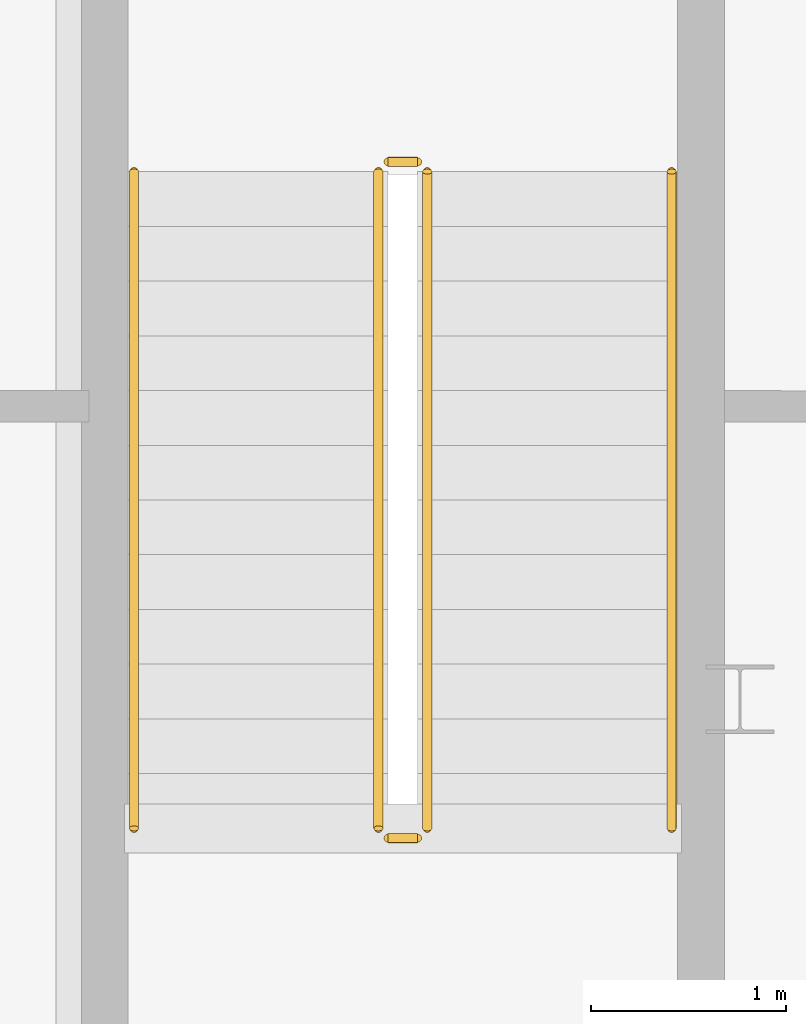
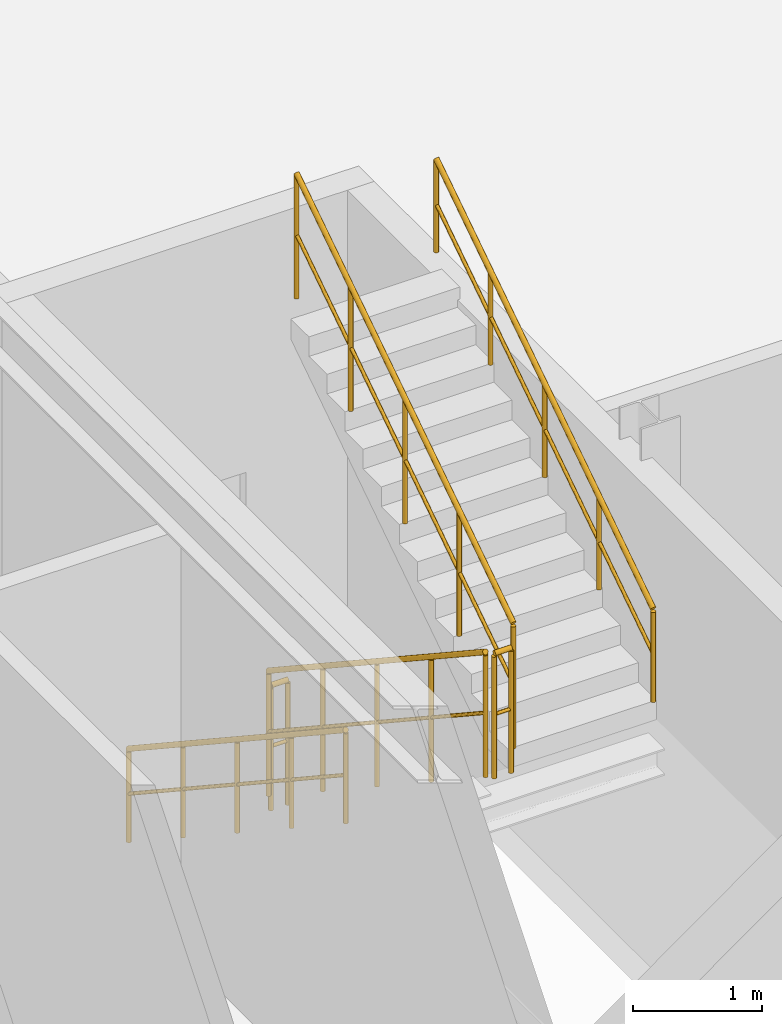
# One storey, part 23 of 25: 6 railings.
"""IFC4 building model written with IfcOpenShell, lengths in metres."""

from ifc_helpers import new_model, si_unit, direction, frame, origin, origin_2d, place, context, subcontext, project, spatial, circle, extrude, material, type_object, element, save


model = new_model("IFC4")

# Units and contexts
model_context = context("Model", 3, precision=1e-05, world=origin(), true_north=direction((0.0, 1.0)))
body_context = subcontext(model_context, "Body", "Model", "MODEL_VIEW")
ifc_project = project(units=[si_unit("LENGTHUNIT", "METRE"), si_unit("AREAUNIT", "SQUARE_METRE"), si_unit("VOLUMEUNIT", "CUBIC_METRE"), si_unit("PLANEANGLEUNIT", "RADIAN"), si_unit("MASSUNIT", "GRAM", prefix="KILO")], contexts=[model_context])

# Site, building, storey
site_placement = place(None, origin())
site = spatial("IfcSite", under=ifc_project, at=site_placement, CompositionType="ELEMENT")
building_placement = place(site_placement, origin())
building = spatial("IfcBuilding", under=site, at=building_placement, Name="Miruveldt Soraemaru", CompositionType="ELEMENT")
storey_placement = place(building_placement, frame((0.0, 0.0, 4.800048828125)))
storey = spatial("IfcBuildingStorey", under=building, at=storey_placement, Name="L02", CompositionType="ELEMENT", Elevation=4.800048828125)

# Railings
ifc_material = material(Name="Steel S355 (355 MPa)", Category="steel")
railing_type_1 = type_object("IfcRailingType", Name="RAIL-HR-900", PredefinedType="HANDRAIL", material=ifc_material)
railing_1_placement = place(storey_placement, frame((56.85009765625, 43.199951171875, 0.1845703125)))
element("IfcRailing", 1, at=railing_1_placement, inside=storey, type_object=railing_type_1, Name="L02 ST-4 stair handrail 1", PredefinedType="HANDRAIL", context=body_context, shape_type="SweptSolid", body=[
    extrude(circle(Radius=0.02392578125, at=origin_2d()), frame((0.0, 0.0, 0.8759765625), z_axis=(0.0, -0.834858096282, 0.550465220583), x_axis=(1.0, 0.0, 0.0)), (0.0, 0.0, 1.0), 4.0244140625),
    extrude(circle(Radius=0.01611328125, at=origin_2d()), frame((0.0, 0.0, 0.449951171875), z_axis=(0.0, -0.834858096282, 0.550465220583), x_axis=(1.0, 0.0, 0.0)), (0.0, 0.0, 1.0), 4.0244140625),
    extrude(circle(Radius=0.02099609375, at=origin_2d()), origin(), (0.0, 0.0, 1.0), 0.851806640625),
    extrude(circle(Radius=0.02099609375, at=origin_2d()), frame((0.0, -0.83984375, 0.5537109375)), (0.0, 0.0, 1.0), 0.851806640625),
    extrude(circle(Radius=0.02099609375, at=origin_2d()), frame((0.0, -1.679931640625, 1.107666015625)), (0.0, 0.0, 1.0), 0.851806640625),
    extrude(circle(Radius=0.02099609375, at=origin_2d()), frame((0.0, -2.52001953125, 1.66162109375)), (0.0, 0.0, 1.0), 0.851806640625),
    extrude(circle(Radius=0.02099609375, at=origin_2d()), frame((0.0, -3.35986328125, 2.21533203125)), (0.0, 0.0, 1.0), 0.851806640625),
])
railing_2_placement = place(storey_placement, frame((59.60009765625, 39.840087890625, 2.58447265625)))
element("IfcRailing", 2, at=railing_2_placement, inside=storey, type_object=railing_type_1, Name="L02 ST-4 stair handrail 2", PredefinedType="HANDRAIL", context=body_context, shape_type="SweptSolid", body=[
    extrude(circle(Radius=0.02392578125, at=origin_2d()), frame((0.0, 0.0, 0.8759765625), z_axis=(0.0, 0.83483021737, 0.550507500554), x_axis=(-1.0, 0.0, 0.0)), (0.0, 0.0, 1.0), 4.024658203125),
    extrude(circle(Radius=0.01611328125, at=origin_2d()), frame((0.0, 0.0, 0.449951171875), z_axis=(0.0, 0.83483021737, 0.550507500554), x_axis=(-1.0, 0.0, 0.0)), (0.0, 0.0, 1.0), 4.024658203125),
    extrude(circle(Radius=0.02099609375, at=origin_2d()), origin(), (0.0, 0.0, 1.0), 0.851806640625),
    extrude(circle(Radius=0.02099609375, at=origin_2d()), frame((0.0, 0.83984375, 0.553955078125)), (0.0, 0.0, 1.0), 0.851806640625),
    extrude(circle(Radius=0.02099609375, at=origin_2d()), frame((0.0, 1.679931640625, 1.10791015625)), (0.0, 0.0, 1.0), 0.851806640625),
    extrude(circle(Radius=0.02099609375, at=origin_2d()), frame((0.0, 2.52001953125, 1.66162109375)), (0.0, 0.0, 1.0), 0.851806640625),
    extrude(circle(Radius=0.02099609375, at=origin_2d()), frame((0.0, 3.35986328125, 2.215576171875)), (0.0, 0.0, 1.0), 0.851806640625),
])
railing_type_2 = type_object("IfcRailingType", Name="RAIL-STGUARD-1200", PredefinedType="GUARDRAIL", material=ifc_material)
railing_3_placement = place(storey_placement, frame((58.10009765625, 43.199951171875, 0.1845703125)))
element("IfcRailing", 3, at=railing_3_placement, inside=storey, type_object=railing_type_2, Name="L02 ST-4 stair guard 1", PredefinedType="GUARDRAIL", context=body_context, shape_type="SweptSolid", body=[
    extrude(circle(Radius=0.02392578125, at=origin_2d()), frame((0.0, 0.0, 1.17578125), z_axis=(0.0, -0.834858096282, 0.550465220583), x_axis=(1.0, 0.0, 0.0)), (0.0, 0.0, 1.0), 4.0244140625),
    extrude(circle(Radius=0.01611328125, at=origin_2d()), frame((0.0, 0.0, 0.60009765625), z_axis=(0.0, -0.834858096282, 0.550465220583), x_axis=(1.0, 0.0, 0.0)), (0.0, 0.0, 1.0), 4.0244140625),
    extrude(circle(Radius=0.02099609375, at=origin_2d()), origin(), (0.0, 0.0, 1.0), 1.15185546875),
    extrude(circle(Radius=0.02099609375, at=origin_2d()), frame((0.0, -0.83984375, 0.5537109375)), (0.0, 0.0, 1.0), 1.15185546875),
    extrude(circle(Radius=0.02099609375, at=origin_2d()), frame((0.0, -1.679931640625, 1.107666015625)), (0.0, 0.0, 1.0), 1.15185546875),
    extrude(circle(Radius=0.02099609375, at=origin_2d()), frame((0.0, -2.52001953125, 1.66162109375)), (0.0, 0.0, 1.0), 1.15185546875),
    extrude(circle(Radius=0.02099609375, at=origin_2d()), frame((0.0, -3.35986328125, 2.21533203125)), (0.0, 0.0, 1.0), 1.15185546875),
])
railing_4_placement = place(storey_placement, frame((58.14990234375, 39.7900390625, 2.39990234375)))
element("IfcRailing", 4, at=railing_4_placement, inside=storey, type_object=railing_type_2, Name="L02 ST-4 stair guard 2", PredefinedType="GUARDRAIL", context=body_context, shape_type="SweptSolid", body=[
    extrude(circle(Radius=0.02392578125, at=origin_2d()), frame((0.0, 0.0, 1.17578125), z_axis=(1.0, 0.0, 0.0), x_axis=(0.0, 1.0, 0.0)), (0.0, 0.0, 1.0), 0.150146484375),
    extrude(circle(Radius=0.01611328125, at=origin_2d()), frame((0.0, 0.0, 0.60009765625), z_axis=(1.0, 0.0, 0.0), x_axis=(0.0, 1.0, 0.0)), (0.0, 0.0, 1.0), 0.150146484375),
    extrude(circle(Radius=0.02099609375, at=origin_2d()), origin(), (0.0, 0.0, 1.0), 1.15185546875),
    extrude(circle(Radius=0.02099609375, at=origin_2d()), frame((0.150146484375, 0.0, 0.0)), (0.0, 0.0, 1.0), 1.15185546875),
])
railing_5_placement = place(storey_placement, frame((58.35009765625, 39.840087890625, 2.58447265625)))
element("IfcRailing", 5, at=railing_5_placement, inside=storey, type_object=railing_type_2, Name="L02 ST-4 stair guard 3", PredefinedType="GUARDRAIL", context=body_context, shape_type="SweptSolid", body=[
    extrude(circle(Radius=0.02392578125, at=origin_2d()), frame((0.0, 0.0, 1.17578125), z_axis=(0.0, 0.83483021737, 0.550507500554), x_axis=(-1.0, 0.0, 0.0)), (0.0, 0.0, 1.0), 4.024658203125),
    extrude(circle(Radius=0.01611328125, at=origin_2d()), frame((0.0, 0.0, 0.60009765625), z_axis=(0.0, 0.83483021737, 0.550507500554), x_axis=(-1.0, 0.0, 0.0)), (0.0, 0.0, 1.0), 4.024658203125),
    extrude(circle(Radius=0.02099609375, at=origin_2d()), origin(), (0.0, 0.0, 1.0), 1.15185546875),
    extrude(circle(Radius=0.02099609375, at=origin_2d()), frame((0.0, 0.83984375, 0.553955078125)), (0.0, 0.0, 1.0), 1.15185546875),
    extrude(circle(Radius=0.02099609375, at=origin_2d()), frame((0.0, 1.679931640625, 1.10791015625)), (0.0, 0.0, 1.0), 1.15185546875),
    extrude(circle(Radius=0.02099609375, at=origin_2d()), frame((0.0, 2.52001953125, 1.66162109375)), (0.0, 0.0, 1.0), 1.15185546875),
    extrude(circle(Radius=0.02099609375, at=origin_2d()), frame((0.0, 3.35986328125, 2.215576171875)), (0.0, 0.0, 1.0), 1.15185546875),
])
railing_6_placement = place(storey_placement, frame((58.14990234375, 43.25, 0.0)))
element("IfcRailing", 6, at=railing_6_placement, inside=storey, type_object=railing_type_2, Name="L02 ST-4 stair guard 4", PredefinedType="GUARDRAIL", context=body_context, shape_type="SweptSolid", body=[
    extrude(circle(Radius=0.02392578125, at=origin_2d()), frame((0.0, 0.0, 1.17578125), z_axis=(1.0, 0.0, 0.0), x_axis=(0.0, 1.0, 0.0)), (0.0, 0.0, 1.0), 0.150146484375),
    extrude(circle(Radius=0.01611328125, at=origin_2d()), frame((0.0, 0.0, 0.60009765625), z_axis=(1.0, 0.0, 0.0), x_axis=(0.0, 1.0, 0.0)), (0.0, 0.0, 1.0), 0.150146484375),
    extrude(circle(Radius=0.02099609375, at=origin_2d()), origin(), (0.0, 0.0, 1.0), 1.15185546875),
    extrude(circle(Radius=0.02099609375, at=origin_2d()), frame((0.150146484375, 0.0, 0.0)), (0.0, 0.0, 1.0), 1.15185546875),
])

save(model, "model.ifc")
